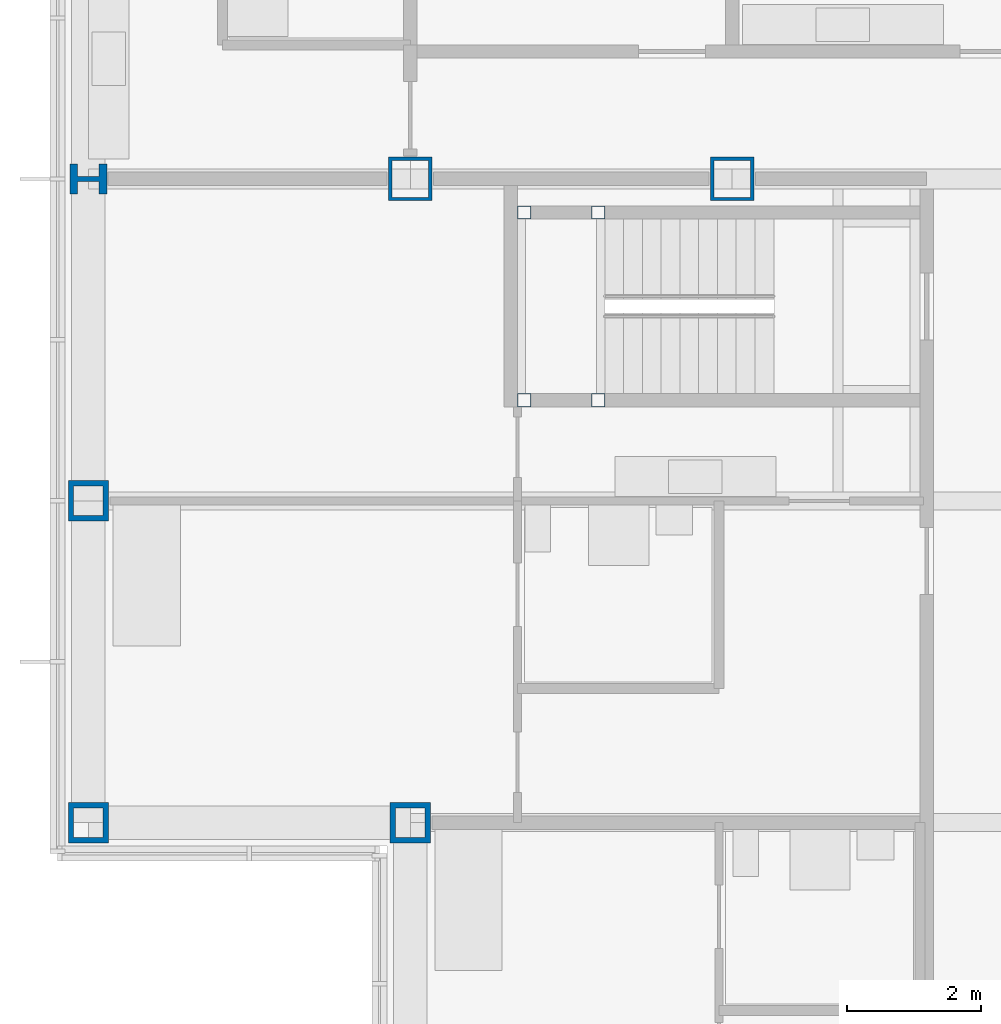
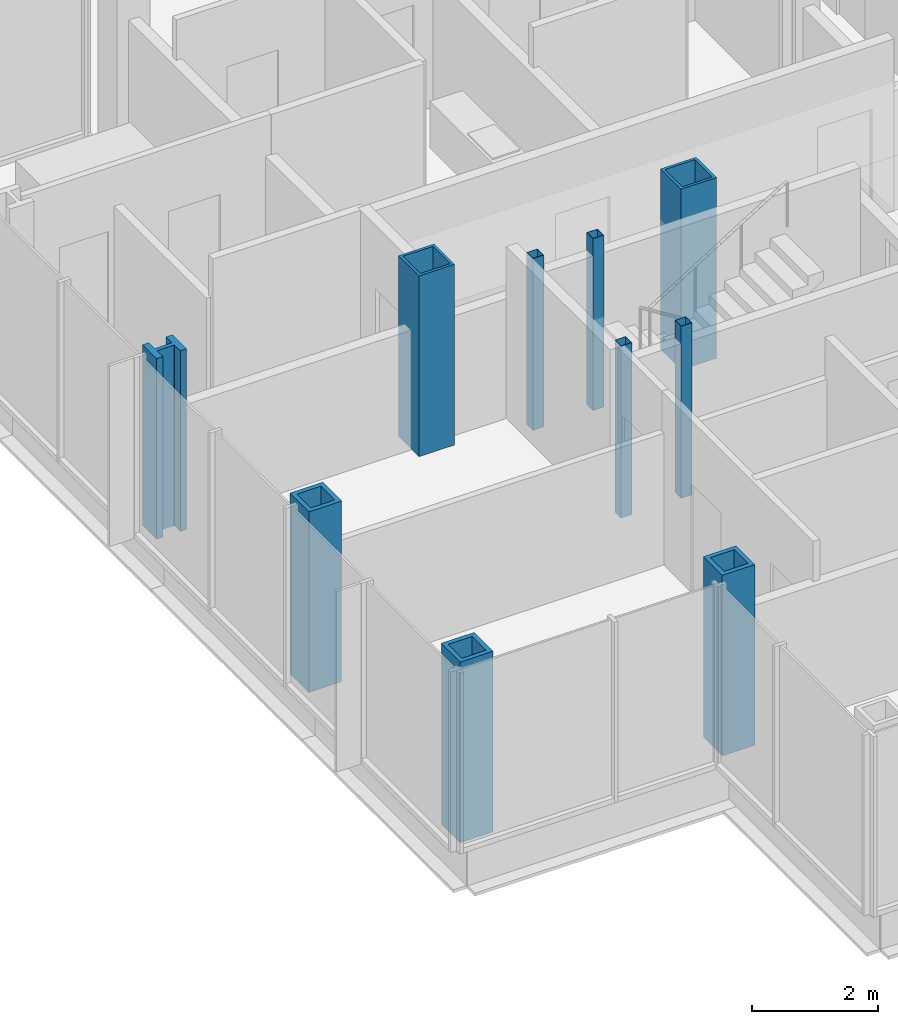
# One storey, part 3 of 20: 10 columns.
"""IFC4 building model written with IfcOpenShell, lengths in metres."""

from ifc_helpers import new_model, si_unit, direction, frame, origin, origin_2d, place, context, subcontext, project, spatial, hollow_rectangle, i_section, extrude, material, material_profile, profile_set, type_object, element, save


model = new_model("IFC4")

# Units and contexts
model_context = context("Model", 3, precision=1e-05, world=origin(), true_north=direction((0.0, 1.0)))
body_context = subcontext(model_context, "Body", "Model", "MODEL_VIEW")
ifc_project = project(units=[si_unit("LENGTHUNIT", "METRE"), si_unit("AREAUNIT", "SQUARE_METRE"), si_unit("VOLUMEUNIT", "CUBIC_METRE"), si_unit("PLANEANGLEUNIT", "RADIAN"), si_unit("MASSUNIT", "GRAM", prefix="KILO")], contexts=[model_context])

# Site, building, storey
site_placement = place(None, origin())
site = spatial("IfcSite", under=ifc_project, at=site_placement, CompositionType="ELEMENT")
building_placement = place(site_placement, origin())
building = spatial("IfcBuilding", under=site, at=building_placement, Name="Kvirike Care Tower", CompositionType="ELEMENT")
storey_placement = place(building_placement, frame((0.0, 0.0, 112.0)))
storey = spatial("IfcBuildingStorey", under=building, at=storey_placement, Name="L30", CompositionType="ELEMENT", Elevation=112.0)

# Columns
ifc_material_1 = material(Name="Steel S460", Category="steel")
ifc_material_profile_1 = material_profile(ifc_material_1, hollow_rectangle(XDim=0.60009765625, YDim=0.60009765625, WallThickness=0.080078125, at=origin_2d()), Name="BX 600x600x80")
ifc_profile_set_1 = profile_set([ifc_material_profile_1], Name="Steel S460")
column_type_1 = type_object("IfcColumnType", Name="COLUMN BX 600x600x80", PredefinedType="COLUMN", material=ifc_profile_set_1)
for number, where, z_axis, x_axis, name in (
    (1, (0.0, 33.60009765625, 0.0), (0.0, 0.0, 1.0), (0.0, 1.0, 0.0), "Column H3 L30"),
    (2, (0.0, 38.39990234375, 0.0), (0.0, 0.0, 1.0), (1.0, 0.0, 0.0), "Column J3 L30"),
    (3, (4.800048828125, 33.60009765625, 0.0), (0.0, 0.0, 1.0), (0.0, 1.0, 0.0), "Column H4 L30"),
):
    element("IfcColumn", number, at=place(storey_placement, frame(where, z_axis=z_axis, x_axis=x_axis)), inside=storey, type_object=column_type_1, Name=name, PredefinedType="COLUMN", context=body_context, shape_type="SweptSolid", body=[
        extrude(hollow_rectangle(XDim=0.60009765625, YDim=0.60009765625, WallThickness=0.080078125, at=origin_2d()), origin(), (0.0, 0.0, 1.0), 3.5),
    ])
ifc_material_2 = material(Name="Steel S460", Category="steel")
ifc_material_profile_2 = material_profile(ifc_material_2, hollow_rectangle(XDim=0.64990234375, YDim=0.64990234375, WallThickness=0.050048828125, at=origin_2d()), Name="BX 650x650x50")
ifc_profile_set_2 = profile_set([ifc_material_profile_2], Name="Steel S460")
column_type_2 = type_object("IfcColumnType", Name="COLUMN BX 650x650x50", PredefinedType="COLUMN", material=ifc_profile_set_2)
for number, where, z_axis, x_axis, name in (
    (4, (4.800048828125, 43.199951171875, 0.0), (0.0, 0.0, 1.0), (0.0, 1.0, 0.0), "Column K4 L30"),
    (5, (9.60009765625, 43.199951171875, 0.0), (0.0, 0.0, 1.0), (0.0, 1.0, 0.0), "Column K5 L30"),
):
    element("IfcColumn", number, at=place(storey_placement, frame(where, z_axis=z_axis, x_axis=x_axis)), inside=storey, type_object=column_type_2, Name=name, PredefinedType="COLUMN", context=body_context, shape_type="SweptSolid", body=[
        extrude(hollow_rectangle(XDim=0.64990234375, YDim=0.64990234375, WallThickness=0.050048828125, at=origin_2d()), origin(), (0.0, 0.0, 1.0), 3.5),
    ])
ifc_material_3 = material(Name="Steel S460", Category="steel")
ifc_material_profile_3 = material_profile(ifc_material_3, i_section(OverallWidth=0.447998046875, OverallDepth=0.550048828125, WebThickness=0.072021484375, FlangeThickness=0.114990234375, FilletRadius=0.014892578125, at=origin_2d()), Name="HD 400x990")
ifc_profile_set_3 = profile_set([ifc_material_profile_3], Name="Steel S460")
column_type_3 = type_object("IfcColumnType", Name="COLUMN HD 400x990", PredefinedType="COLUMN", material=ifc_profile_set_3)
column_placement = place(storey_placement, frame((0.0, 43.199951171875, 0.0), z_axis=(0.0, 0.0, 1.0), x_axis=(0.0, 1.0, 0.0)))
element("IfcColumn", 6, at=column_placement, inside=storey, type_object=column_type_3, Name="Column K3 L30", PredefinedType="COLUMN", context=body_context, shape_type="SweptSolid", body=[
    extrude(i_section(OverallWidth=0.447998046875, OverallDepth=0.550048828125, WebThickness=0.072021484375, FlangeThickness=0.114990234375, FilletRadius=0.014892578125, at=origin_2d()), origin(), (0.0, 0.0, 1.0), 3.5),
])
ifc_material_4 = material(Name="Steel S460", Category="steel")
ifc_material_profile_4 = material_profile(ifc_material_4, hollow_rectangle(XDim=0.199951171875, YDim=0.199951171875, WallThickness=0.008056640625, at=origin_2d()), Name="SHS 200x200x8")
ifc_profile_set_4 = profile_set([ifc_material_profile_4], Name="Steel S460")
column_type_4 = type_object("IfcColumnType", Name="STAIR POST SHS 200x200x8", PredefinedType="COLUMN", material=ifc_profile_set_4)
for number, where, z_axis, x_axis, name in (
    (7, (6.5, 42.699951171875, 0.0), (0.0, 0.0, 1.0), (1.0, 0.0, 0.0), "Stair 1 post 1 L30"),
    (8, (6.5, 39.89990234375, 0.0), (0.0, 0.0, 1.0), (1.0, 0.0, 0.0), "Stair 1 post 2 L30"),
    (9, (7.60009765625, 42.699951171875, 0.0), (0.0, 0.0, 1.0), (1.0, 0.0, 0.0), "Stair 1 post 3 L30"),
    (10, (7.60009765625, 39.89990234375, 0.0), (0.0, 0.0, 1.0), (1.0, 0.0, 0.0), "Stair 1 post 4 L30"),
):
    element("IfcColumn", number, at=place(storey_placement, frame(where, z_axis=z_axis, x_axis=x_axis)), inside=storey, type_object=column_type_4, Name=name, PredefinedType="COLUMN", context=body_context, shape_type="SweptSolid", body=[
        extrude(hollow_rectangle(XDim=0.199951171875, YDim=0.199951171875, WallThickness=0.008056640625, at=origin_2d()), origin(), (0.0, 0.0, 1.0), 3.330078125),
    ])

save(model, "model.ifc")
